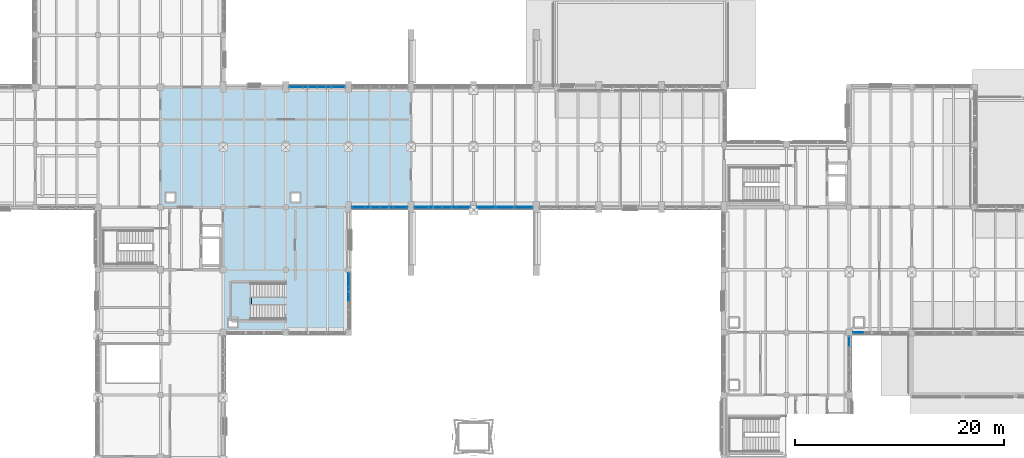
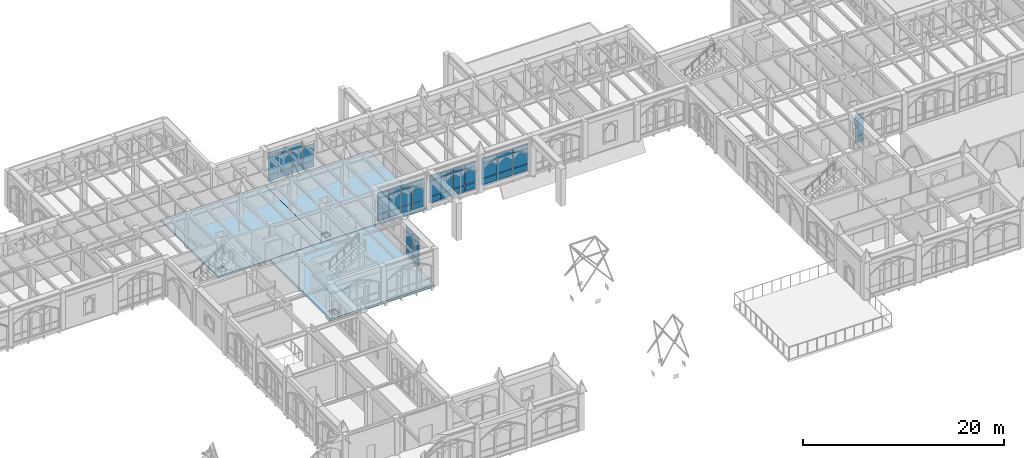
# One storey, part 94 of 143: 54 plates, 4 slabs, 8 elements without a shape of their own.
"""IFC4 building model written with IfcOpenShell, lengths in metres."""

from ifc_helpers import new_model, si_unit, direction, frame, origin, origin_2d, place, context, subcontext, project, spatial, polyline, rectangle, outline, extrude, material, layer, layer_set, type_object, element, aggregate, save


model = new_model("IFC4")

# Units and contexts
model_context = context("Model", 3, precision=1e-05, world=origin(), true_north=direction((0.0, 1.0)))
body_context = subcontext(model_context, "Body", "Model", "MODEL_VIEW")
ifc_project = project(units=[si_unit("LENGTHUNIT", "METRE"), si_unit("AREAUNIT", "SQUARE_METRE"), si_unit("VOLUMEUNIT", "CUBIC_METRE"), si_unit("PLANEANGLEUNIT", "RADIAN"), si_unit("MASSUNIT", "GRAM", prefix="KILO")], contexts=[model_context])

# Site, building, storey
site_placement = place(None, origin())
site = spatial("IfcSite", under=ifc_project, at=site_placement, CompositionType="ELEMENT")
building_placement = place(site_placement, origin())
building = spatial("IfcBuilding", under=site, at=building_placement, Name="Cumevento Cable Car Station", CompositionType="ELEMENT")
storey_placement = place(building_placement, frame((0.0, 0.0, 9.0)))
storey = spatial("IfcBuildingStorey", under=building, at=storey_placement, Name="L03", CompositionType="ELEMENT", Elevation=9.0)

# Slabs
ifc_material_1 = material(Name="Concrete C40/50", Category="concrete")
ifc_layer_1 = layer(ifc_material_1, 0.236083984375)
ifc_layer_set_1 = layer_set([ifc_layer_1], Name="Concrete C40/50")
slab_type_1 = type_object("IfcSlabType", Name="Concrete Deck FS-236 236", PredefinedType="FLOOR", material=ifc_layer_set_1)
slab_1_placement = place(storey_placement, frame((0.0, 0.0, -0.236083984375)))
element("IfcSlab", 1, at=slab_1_placement, inside=storey, type_object=slab_type_1, Name="Floor Slab FS-236 L03 B_V3a.1", PredefinedType="FLOOR", context=body_context, shape_type="SweptSolid", body=[
    extrude(outline(polyline([(64.0, 45.0), (76.0, 45.0), (76.0, 56.5), (64.0, 56.5), (64.0, 45.0)]), holes=[polyline([(64.550048828125, 45.550048828125), (65.35009765625, 45.550048828125), (65.35009765625, 46.35009765625), (64.550048828125, 46.35009765625), (64.550048828125, 45.550048828125)])]), origin(), (0.0, 0.0, 1.0), 0.236083984375),
])
slab_2_placement = place(storey_placement, frame((0.0, 0.0, -0.236083984375)))
element("IfcSlab", 2, at=slab_2_placement, inside=storey, type_object=slab_type_1, Name="Floor Slab FS-236 L03 B_V3a.2", PredefinedType="FLOOR", context=body_context, shape_type="SweptSolid", body=[
    extrude(outline(polyline([(76.0, 45.0), (88.0, 45.0), (88.0, 56.5), (76.0, 56.5), (76.0, 45.0)]), holes=[polyline([(76.550048828125, 45.550048828125), (77.35009765625, 45.550048828125), (77.35009765625, 46.35009765625), (76.550048828125, 46.35009765625), (76.550048828125, 45.550048828125)])]), origin(), (0.0, 0.0, 1.0), 0.236083984375),
])
ifc_material_2 = material(Name="Concrete C40/50", Category="concrete")
ifc_layer_2 = layer(ifc_material_2, 0.27197265625)
ifc_layer_set_2 = layer_set([ifc_layer_2], Name="Concrete C40/50")
slab_type_2 = type_object("IfcSlabType", Name="Concrete Deck FS-272 272", PredefinedType="FLOOR", material=ifc_layer_set_2)
slab_3_placement = place(storey_placement, frame((0.0, 0.0, -0.27197265625)))
element("IfcSlab", 3, at=slab_3_placement, inside=storey, type_object=slab_type_2, Name="Floor Slab FS-272 L03 B_V2d.1", PredefinedType="FLOOR", context=body_context, shape_type="SweptSolid", body=[
    extrude(outline(polyline([(70.0, 33.0), (82.0, 33.0), (82.0, 45.0), (70.0, 45.0), (70.0, 33.0)]), holes=[polyline([(70.550048828125, 33.550048828125), (71.35009765625, 33.550048828125), (71.35009765625, 34.35009765625), (70.550048828125, 34.35009765625), (70.550048828125, 33.550048828125)])]), origin(), (0.0, 0.0, 1.0), 0.27197265625),
])

# Curtain wall, plate
ifc_material_3 = material(Name="Anodised Bronze Aluminium AW-6063-T6", Category="aluminium")
ifc_layer_3 = layer(ifc_material_3, 0.159912109375)
ifc_layer_set_3 = layer_set([ifc_layer_3], Name="Anodised Bronze Aluminium AW-6063-T6")
curtain_wall_type_1 = type_object("IfcCurtainWallType", Name="Lancet Curtain Wall CW-01 1050", PredefinedType="NOTDEFINED", material=ifc_layer_set_3)
curtain_wall_1_placement = place(storey_placement, origin())
curtain_wall_1 = element("IfcCurtainWall", 4, at=curtain_wall_1_placement, inside=storey, type_object=curtain_wall_type_1, Name="Lancet Curtain Wall CW-01 L03 #128", PredefinedType="NOTDEFINED")
ifc_material_4 = material(Name="Solar Control Laminated Double Glazing", Category="glass")
ifc_layer_4 = layer(ifc_material_4, 0.030029296875)
ifc_layer_set_4 = layer_set([ifc_layer_4], Name="Solar Control Laminated Double Glazing")
plate_type_1 = type_object("IfcPlateType", Name="Glazed Panel CWP-03 30", PredefinedType="CURTAIN_PANEL", material=ifc_layer_set_4)
plate_1_placement = place(storey_placement, frame((130.0, 32.123779296875, 3.110595703125), z_axis=(0.0, 0.0, 1.0), x_axis=(0.0, -1.0, 0.0)))
plate_1 = element("IfcPlate", 5, at=plate_1_placement, type_object=plate_type_1, Name="CW-01 panel 1.3", PredefinedType="CURTAIN_PANEL", context=body_context, shape_type="SweptSolid", body=[
    extrude(rectangle(XDim=0.972412109375, YDim=0.030029296875, at=origin_2d()), origin(), (0.0, 0.0, 1.0), 0.6025390625),
])
aggregate(curtain_wall_1, [plate_1])

# Curtain wall, plates
ifc_material_5 = material(Name="Anodised Bronze Aluminium AW-6063-T6", Category="aluminium")
ifc_layer_5 = layer(ifc_material_5, 0.166015625)
ifc_layer_set_5 = layer_set([ifc_layer_5], Name="Anodised Bronze Aluminium AW-6063-T6")
curtain_wall_type_2 = type_object("IfcCurtainWallType", Name="Lancet Curtain Wall CW-02 1090", PredefinedType="NOTDEFINED", material=ifc_layer_set_5)
curtain_wall_2_placement = place(storey_placement, origin())
curtain_wall_2 = element("IfcCurtainWall", 6, at=curtain_wall_2_placement, inside=storey, type_object=curtain_wall_type_2, Name="Lancet Curtain Wall CW-02 L03 #129", PredefinedType="NOTDEFINED")
ifc_material_6 = material(Name="Solar Control Laminated Double Glazing", Category="glass")
ifc_layer_6 = layer(ifc_material_6, 0.033935546875)
ifc_layer_set_6 = layer_set([ifc_layer_6], Name="Solar Control Laminated Double Glazing")
plate_type_2 = type_object("IfcPlateType", Name="Glazed Panel CWP-04 34", PredefinedType="CURTAIN_PANEL", material=ifc_layer_set_6)
plate_2_placement = place(storey_placement, frame((130.876220703125, 33.0, 0.275146484375), z_axis=(0.0, 0.0, 1.0), x_axis=(-1.0, 0.0, 0.0)))
plate_2 = element("IfcPlate", 7, at=plate_2_placement, type_object=plate_type_2, Name="CW-02 panel 5.1", PredefinedType="CURTAIN_PANEL", context=body_context, shape_type="SweptSolid", body=[
    extrude(rectangle(XDim=0.972412109375, YDim=0.033935546875, at=origin_2d()), origin(), (0.0, 0.0, 1.0), 0.75244140625),
])
plate_3_placement = place(storey_placement, frame((130.876220703125, 33.0, 1.0927734375), z_axis=(0.0, 0.0, 1.0), x_axis=(-1.0, 0.0, 0.0)))
plate_3 = element("IfcPlate", 8, at=plate_3_placement, type_object=plate_type_2, Name="CW-02 panel 5.2", PredefinedType="CURTAIN_PANEL", context=body_context, shape_type="SweptSolid", body=[
    extrude(rectangle(XDim=0.972412109375, YDim=0.033935546875, at=origin_2d()), origin(), (0.0, 0.0, 1.0), 1.952880859375),
])
plate_4_placement = place(storey_placement, frame((130.876220703125, 33.0, 3.110595703125), z_axis=(0.0, 0.0, 1.0), x_axis=(-1.0, 0.0, 0.0)))
plate_4 = element("IfcPlate", 9, at=plate_4_placement, type_object=plate_type_2, Name="CW-02 panel 5.3", PredefinedType="CURTAIN_PANEL", context=body_context, shape_type="SweptSolid", body=[
    extrude(rectangle(XDim=0.972412109375, YDim=0.033935546875, at=origin_2d()), origin(), (0.0, 0.0, 1.0), 0.6025390625),
])
aggregate(curtain_wall_2, [plate_2, plate_3, plate_4])

ifc_material_7 = material(Name="Anodised Bronze Aluminium AW-6063-T6", Category="aluminium")
ifc_layer_7 = layer(ifc_material_7, 0.214111328125)
ifc_layer_set_7 = layer_set([ifc_layer_7], Name="Anodised Bronze Aluminium AW-6063-T6")
curtain_wall_type_3 = type_object("IfcCurtainWallType", Name="Lancet Curtain Wall CW-10 1410", PredefinedType="NOTDEFINED", material=ifc_layer_set_7)
curtain_wall_3_placement = place(storey_placement, origin())
curtain_wall_3 = element("IfcCurtainWall", 10, at=curtain_wall_3_placement, inside=storey, type_object=curtain_wall_type_3, Name="Lancet Curtain Wall CW-10 L03 #89", PredefinedType="NOTDEFINED")
ifc_material_8 = material(Name="Solar Control Laminated Double Glazing", Category="glass")
ifc_layer_8 = layer(ifc_material_8, 0.0419921875)
ifc_layer_set_8 = layer_set([ifc_layer_8], Name="Solar Control Laminated Double Glazing")
plate_type_3 = type_object("IfcPlateType", Name="Glazed Panel CWP-06 42", PredefinedType="CURTAIN_PANEL", material=ifc_layer_set_8)
plate_5_placement = place(storey_placement, frame((82.0, 38.04931640625, 0.275146484375), z_axis=(0.0, 0.0, 1.0), x_axis=(0.0, -1.0, 0.0)))
plate_5 = element("IfcPlate", 11, at=plate_5_placement, type_object=plate_type_3, Name="CW-10 panel 1.1", PredefinedType="CURTAIN_PANEL", context=body_context, shape_type="SweptSolid", body=[
    extrude(rectangle(XDim=1.271240234375, YDim=0.0419921875, at=origin_2d()), origin(), (0.0, 0.0, 1.0), 0.75244140625),
])
plate_6_placement = place(storey_placement, frame((82.0, 38.04931640625, 1.092529296875), z_axis=(0.0, 0.0, 1.0), x_axis=(0.0, -1.0, 0.0)))
plate_6 = element("IfcPlate", 12, at=plate_6_placement, type_object=plate_type_3, Name="CW-10 panel 1.2", PredefinedType="CURTAIN_PANEL", context=body_context, shape_type="SweptSolid", body=[
    extrude(rectangle(XDim=1.271240234375, YDim=0.0419921875, at=origin_2d()), origin(), (0.0, 0.0, 1.0), 1.98388671875),
])
plate_7_placement = place(storey_placement, frame((82.0, 38.04931640625, 3.1416015625), z_axis=(0.0, 0.0, 1.0), x_axis=(0.0, -1.0, 0.0)))
plate_7 = element("IfcPlate", 13, at=plate_7_placement, type_object=plate_type_3, Name="CW-10 panel 1.3", PredefinedType="CURTAIN_PANEL", context=body_context, shape_type="SweptSolid", body=[
    extrude(rectangle(XDim=1.271240234375, YDim=0.0419921875, at=origin_2d()), origin(), (0.0, 0.0, 1.0), 0.6025390625),
])
plate_8_placement = place(storey_placement, frame((82.0, 36.69677734375, 0.275146484375), z_axis=(0.0, 0.0, 1.0), x_axis=(0.0, -1.0, 0.0)))
plate_8 = element("IfcPlate", 14, at=plate_8_placement, type_object=plate_type_3, Name="CW-10 panel 2.1", PredefinedType="CURTAIN_PANEL", context=body_context, shape_type="SweptSolid", body=[
    extrude(rectangle(XDim=1.3037109375, YDim=0.0419921875, at=origin_2d()), origin(), (0.0, 0.0, 1.0), 0.75244140625),
])
plate_9_placement = place(storey_placement, frame((82.0, 36.69677734375, 1.092529296875), z_axis=(0.0, 0.0, 1.0), x_axis=(0.0, -1.0, 0.0)))
plate_9 = element("IfcPlate", 15, at=plate_9_placement, type_object=plate_type_3, Name="CW-10 panel 2.2", PredefinedType="CURTAIN_PANEL", context=body_context, shape_type="SweptSolid", body=[
    extrude(rectangle(XDim=1.3037109375, YDim=0.0419921875, at=origin_2d()), origin(), (0.0, 0.0, 1.0), 1.98388671875),
])
plate_10_placement = place(storey_placement, frame((82.0, 36.69677734375, 3.1416015625), z_axis=(0.0, 0.0, 1.0), x_axis=(0.0, -1.0, 0.0)))
plate_10 = element("IfcPlate", 16, at=plate_10_placement, type_object=plate_type_3, Name="CW-10 panel 2.3", PredefinedType="CURTAIN_PANEL", context=body_context, shape_type="SweptSolid", body=[
    extrude(rectangle(XDim=1.3037109375, YDim=0.0419921875, at=origin_2d()), origin(), (0.0, 0.0, 1.0), 0.6025390625),
])
aggregate(curtain_wall_3, [plate_5, plate_6, plate_7, plate_8, plate_9, plate_10])

curtain_wall_4_placement = place(storey_placement, origin())
curtain_wall_4 = element("IfcCurtainWall", 17, at=curtain_wall_4_placement, inside=storey, type_object=curtain_wall_type_3, Name="Lancet Curtain Wall CW-10 L03 #105", PredefinedType="NOTDEFINED")
ifc_material_9 = material(Name="Solar Control Laminated Double Glazing", Category="glass")
ifc_layer_9 = layer(ifc_material_9, 0.050048828125)
ifc_layer_set_9 = layer_set([ifc_layer_9], Name="Solar Control Laminated Double Glazing")
plate_type_4 = type_object("IfcPlateType", Name="Glazed Panel CWP-08 50", PredefinedType="CURTAIN_PANEL", material=ifc_layer_set_9)
plate_11_placement = place(storey_placement, frame((76.9912109375, 56.5, 0.275146484375), z_axis=(0.0, 0.0, 1.0), x_axis=(1.0, 0.0, 0.0)))
plate_11 = element("IfcPlate", 18, at=plate_11_placement, type_object=plate_type_4, Name="CW-10 panel 1.1", PredefinedType="CURTAIN_PANEL", context=body_context, shape_type="SweptSolid", body=[
    extrude(rectangle(XDim=1.25244140625, YDim=0.050048828125, at=origin_2d()), origin(), (0.0, 0.0, 1.0), 0.75244140625),
])
plate_12_placement = place(storey_placement, frame((76.9912109375, 56.5, 1.092529296875), z_axis=(0.0, 0.0, 1.0), x_axis=(1.0, 0.0, 0.0)))
plate_12 = element("IfcPlate", 19, at=plate_12_placement, type_object=plate_type_4, Name="CW-10 panel 1.2", PredefinedType="CURTAIN_PANEL", context=body_context, shape_type="SweptSolid", body=[
    extrude(rectangle(XDim=1.25244140625, YDim=0.050048828125, at=origin_2d()), origin(), (0.0, 0.0, 1.0), 2.02001953125),
])
plate_13_placement = place(storey_placement, frame((76.9912109375, 56.5, 3.177490234375), z_axis=(0.0, 0.0, 1.0), x_axis=(1.0, 0.0, 0.0)))
plate_13 = element("IfcPlate", 20, at=plate_13_placement, type_object=plate_type_4, Name="CW-10 panel 1.3", PredefinedType="CURTAIN_PANEL", context=body_context, shape_type="SweptSolid", body=[
    extrude(rectangle(XDim=1.25244140625, YDim=0.050048828125, at=origin_2d()), origin(), (0.0, 0.0, 1.0), 0.6025390625),
])
plate_14_placement = place(storey_placement, frame((78.324951171875, 56.5, 0.275146484375), z_axis=(0.0, 0.0, 1.0), x_axis=(1.0, 0.0, 0.0)))
plate_14 = element("IfcPlate", 21, at=plate_14_placement, type_object=plate_type_4, Name="CW-10 panel 2.1", PredefinedType="CURTAIN_PANEL", context=body_context, shape_type="SweptSolid", body=[
    extrude(rectangle(XDim=1.284912109375, YDim=0.050048828125, at=origin_2d()), origin(), (0.0, 0.0, 1.0), 0.75244140625),
])
plate_15_placement = place(storey_placement, frame((78.324951171875, 56.5, 1.092529296875), z_axis=(0.0, 0.0, 1.0), x_axis=(1.0, 0.0, 0.0)))
plate_15 = element("IfcPlate", 22, at=plate_15_placement, type_object=plate_type_4, Name="CW-10 panel 2.2", PredefinedType="CURTAIN_PANEL", context=body_context, shape_type="SweptSolid", body=[
    extrude(rectangle(XDim=1.284912109375, YDim=0.050048828125, at=origin_2d()), origin(), (0.0, 0.0, 1.0), 2.02001953125),
])
plate_16_placement = place(storey_placement, frame((78.324951171875, 56.5, 3.177490234375), z_axis=(0.0, 0.0, 1.0), x_axis=(1.0, 0.0, 0.0)))
plate_16 = element("IfcPlate", 23, at=plate_16_placement, type_object=plate_type_4, Name="CW-10 panel 2.3", PredefinedType="CURTAIN_PANEL", context=body_context, shape_type="SweptSolid", body=[
    extrude(rectangle(XDim=1.284912109375, YDim=0.050048828125, at=origin_2d()), origin(), (0.0, 0.0, 1.0), 0.6025390625),
])
plate_17_placement = place(storey_placement, frame((79.675048828125, 56.5, 0.275146484375), z_axis=(0.0, 0.0, 1.0), x_axis=(1.0, 0.0, 0.0)))
plate_17 = element("IfcPlate", 24, at=plate_17_placement, type_object=plate_type_4, Name="CW-10 panel 3.1", PredefinedType="CURTAIN_PANEL", context=body_context, shape_type="SweptSolid", body=[
    extrude(rectangle(XDim=1.284912109375, YDim=0.050048828125, at=origin_2d()), origin(), (0.0, 0.0, 1.0), 0.75244140625),
])
plate_18_placement = place(storey_placement, frame((79.675048828125, 56.5, 1.092529296875), z_axis=(0.0, 0.0, 1.0), x_axis=(1.0, 0.0, 0.0)))
plate_18 = element("IfcPlate", 25, at=plate_18_placement, type_object=plate_type_4, Name="CW-10 panel 3.2", PredefinedType="CURTAIN_PANEL", context=body_context, shape_type="SweptSolid", body=[
    extrude(rectangle(XDim=1.284912109375, YDim=0.050048828125, at=origin_2d()), origin(), (0.0, 0.0, 1.0), 2.02001953125),
])
plate_19_placement = place(storey_placement, frame((79.675048828125, 56.5, 3.177490234375), z_axis=(0.0, 0.0, 1.0), x_axis=(1.0, 0.0, 0.0)))
plate_19 = element("IfcPlate", 26, at=plate_19_placement, type_object=plate_type_4, Name="CW-10 panel 3.3", PredefinedType="CURTAIN_PANEL", context=body_context, shape_type="SweptSolid", body=[
    extrude(rectangle(XDim=1.284912109375, YDim=0.050048828125, at=origin_2d()), origin(), (0.0, 0.0, 1.0), 0.6025390625),
])
plate_20_placement = place(storey_placement, frame((81.0087890625, 56.5, 0.275146484375), z_axis=(0.0, 0.0, 1.0), x_axis=(1.0, 0.0, 0.0)))
plate_20 = element("IfcPlate", 27, at=plate_20_placement, type_object=plate_type_4, Name="CW-10 panel 4.1", PredefinedType="CURTAIN_PANEL", context=body_context, shape_type="SweptSolid", body=[
    extrude(rectangle(XDim=1.25244140625, YDim=0.050048828125, at=origin_2d()), origin(), (0.0, 0.0, 1.0), 0.75244140625),
])
plate_21_placement = place(storey_placement, frame((81.0087890625, 56.5, 1.092529296875), z_axis=(0.0, 0.0, 1.0), x_axis=(1.0, 0.0, 0.0)))
plate_21 = element("IfcPlate", 28, at=plate_21_placement, type_object=plate_type_4, Name="CW-10 panel 4.2", PredefinedType="CURTAIN_PANEL", context=body_context, shape_type="SweptSolid", body=[
    extrude(rectangle(XDim=1.25244140625, YDim=0.050048828125, at=origin_2d()), origin(), (0.0, 0.0, 1.0), 2.02001953125),
])
aggregate(curtain_wall_4, [plate_11, plate_12, plate_13, plate_14, plate_15, plate_16, plate_17, plate_18, plate_19, plate_20, plate_21])

ifc_material_10 = material(Name="Anodised Bronze Aluminium AW-6063-T6", Category="aluminium")
ifc_layer_10 = layer(ifc_material_10, 0.219970703125)
ifc_layer_set_10 = layer_set([ifc_layer_10], Name="Anodised Bronze Aluminium AW-6063-T6")
curtain_wall_type_4 = type_object("IfcCurtainWallType", Name="Lancet Curtain Wall CW-11 1450", PredefinedType="NOTDEFINED", material=ifc_layer_set_10)
curtain_wall_5_placement = place(storey_placement, origin())
curtain_wall_5 = element("IfcCurtainWall", 29, at=curtain_wall_5_placement, inside=storey, type_object=curtain_wall_type_4, Name="Lancet Curtain Wall CW-11 L03 #106", PredefinedType="NOTDEFINED")
ifc_material_11 = material(Name="Insulated Bronze Aluminium Spandrel Panel", Category="aluminium")
ifc_layer_11 = layer(ifc_material_11, 0.054931640625)
ifc_layer_set_11 = layer_set([ifc_layer_11], Name="Insulated Bronze Aluminium Spandrel Panel")
plate_type_5 = type_object("IfcPlateType", Name="Spandrel Panel CWP-09 55", PredefinedType="CURTAIN_PANEL", material=ifc_layer_set_11)
plate_22_placement = place(storey_placement, frame((87.0087890625, 45.0, 0.324951171875), z_axis=(0.0, 0.0, 1.0), x_axis=(-1.0, 0.0, 0.0)))
plate_22 = element("IfcPlate", 30, at=plate_22_placement, type_object=plate_type_5, Name="CW-11 panel 1.1", PredefinedType="CURTAIN_PANEL", context=body_context, shape_type="SweptSolid", body=[
    extrude(rectangle(XDim=1.25244140625, YDim=0.054931640625, at=origin_2d()), origin(), (0.0, 0.0, 1.0), 0.75244140625),
])
plate_23_placement = place(storey_placement, frame((87.0087890625, 45.0, 1.142578125), z_axis=(0.0, 0.0, 1.0), x_axis=(-1.0, 0.0, 0.0)))
plate_23 = element("IfcPlate", 31, at=plate_23_placement, type_object=plate_type_5, Name="CW-11 panel 1.2", PredefinedType="CURTAIN_PANEL", context=body_context, shape_type="SweptSolid", body=[
    extrude(rectangle(XDim=1.25244140625, YDim=0.054931640625, at=origin_2d()), origin(), (0.0, 0.0, 1.0), 1.93408203125),
])
plate_24_placement = place(storey_placement, frame((87.0087890625, 45.0, 3.1416015625), z_axis=(0.0, 0.0, 1.0), x_axis=(-1.0, 0.0, 0.0)))
plate_24 = element("IfcPlate", 32, at=plate_24_placement, type_object=plate_type_5, Name="CW-11 panel 1.3", PredefinedType="CURTAIN_PANEL", context=body_context, shape_type="SweptSolid", body=[
    extrude(rectangle(XDim=1.25244140625, YDim=0.054931640625, at=origin_2d()), origin(), (0.0, 0.0, 1.0), 0.6025390625),
])
plate_25_placement = place(storey_placement, frame((85.675048828125, 45.0, 0.324951171875), z_axis=(0.0, 0.0, 1.0), x_axis=(-1.0, 0.0, 0.0)))
plate_25 = element("IfcPlate", 33, at=plate_25_placement, type_object=plate_type_5, Name="CW-11 panel 2.1", PredefinedType="CURTAIN_PANEL", context=body_context, shape_type="SweptSolid", body=[
    extrude(rectangle(XDim=1.284912109375, YDim=0.054931640625, at=origin_2d()), origin(), (0.0, 0.0, 1.0), 0.75244140625),
])
plate_26_placement = place(storey_placement, frame((85.675048828125, 45.0, 1.142578125), z_axis=(0.0, 0.0, 1.0), x_axis=(-1.0, 0.0, 0.0)))
plate_26 = element("IfcPlate", 34, at=plate_26_placement, type_object=plate_type_5, Name="CW-11 panel 2.2", PredefinedType="CURTAIN_PANEL", context=body_context, shape_type="SweptSolid", body=[
    extrude(rectangle(XDim=1.284912109375, YDim=0.054931640625, at=origin_2d()), origin(), (0.0, 0.0, 1.0), 1.93408203125),
])
plate_27_placement = place(storey_placement, frame((85.675048828125, 45.0, 3.1416015625), z_axis=(0.0, 0.0, 1.0), x_axis=(-1.0, 0.0, 0.0)))
plate_27 = element("IfcPlate", 35, at=plate_27_placement, type_object=plate_type_5, Name="CW-11 panel 2.3", PredefinedType="CURTAIN_PANEL", context=body_context, shape_type="SweptSolid", body=[
    extrude(rectangle(XDim=1.284912109375, YDim=0.054931640625, at=origin_2d()), origin(), (0.0, 0.0, 1.0), 0.6025390625),
])
plate_28_placement = place(storey_placement, frame((84.324951171875, 45.0, 0.324951171875), z_axis=(0.0, 0.0, 1.0), x_axis=(-1.0, 0.0, 0.0)))
plate_28 = element("IfcPlate", 36, at=plate_28_placement, type_object=plate_type_5, Name="CW-11 panel 3.1", PredefinedType="CURTAIN_PANEL", context=body_context, shape_type="SweptSolid", body=[
    extrude(rectangle(XDim=1.284912109375, YDim=0.054931640625, at=origin_2d()), origin(), (0.0, 0.0, 1.0), 0.75244140625),
])
plate_29_placement = place(storey_placement, frame((84.324951171875, 45.0, 1.142578125), z_axis=(0.0, 0.0, 1.0), x_axis=(-1.0, 0.0, 0.0)))
plate_29 = element("IfcPlate", 37, at=plate_29_placement, type_object=plate_type_5, Name="CW-11 panel 3.2", PredefinedType="CURTAIN_PANEL", context=body_context, shape_type="SweptSolid", body=[
    extrude(rectangle(XDim=1.284912109375, YDim=0.054931640625, at=origin_2d()), origin(), (0.0, 0.0, 1.0), 1.93408203125),
])
plate_30_placement = place(storey_placement, frame((84.324951171875, 45.0, 3.1416015625), z_axis=(0.0, 0.0, 1.0), x_axis=(-1.0, 0.0, 0.0)))
plate_30 = element("IfcPlate", 38, at=plate_30_placement, type_object=plate_type_5, Name="CW-11 panel 3.3", PredefinedType="CURTAIN_PANEL", context=body_context, shape_type="SweptSolid", body=[
    extrude(rectangle(XDim=1.284912109375, YDim=0.054931640625, at=origin_2d()), origin(), (0.0, 0.0, 1.0), 0.6025390625),
])
plate_31_placement = place(storey_placement, frame((82.9912109375, 45.0, 0.324951171875), z_axis=(0.0, 0.0, 1.0), x_axis=(-1.0, 0.0, 0.0)))
plate_31 = element("IfcPlate", 39, at=plate_31_placement, type_object=plate_type_5, Name="CW-11 panel 4.1", PredefinedType="CURTAIN_PANEL", context=body_context, shape_type="SweptSolid", body=[
    extrude(rectangle(XDim=1.25244140625, YDim=0.054931640625, at=origin_2d()), origin(), (0.0, 0.0, 1.0), 0.75244140625),
])
plate_32_placement = place(storey_placement, frame((82.9912109375, 45.0, 1.142578125), z_axis=(0.0, 0.0, 1.0), x_axis=(-1.0, 0.0, 0.0)))
plate_32 = element("IfcPlate", 40, at=plate_32_placement, type_object=plate_type_5, Name="CW-11 panel 4.2", PredefinedType="CURTAIN_PANEL", context=body_context, shape_type="SweptSolid", body=[
    extrude(rectangle(XDim=1.25244140625, YDim=0.054931640625, at=origin_2d()), origin(), (0.0, 0.0, 1.0), 1.93408203125),
])
plate_33_placement = place(storey_placement, frame((82.9912109375, 45.0, 3.1416015625), z_axis=(0.0, 0.0, 1.0), x_axis=(-1.0, 0.0, 0.0)))
plate_33 = element("IfcPlate", 41, at=plate_33_placement, type_object=plate_type_5, Name="CW-11 panel 4.3", PredefinedType="CURTAIN_PANEL", context=body_context, shape_type="SweptSolid", body=[
    extrude(rectangle(XDim=1.25244140625, YDim=0.054931640625, at=origin_2d()), origin(), (0.0, 0.0, 1.0), 0.6025390625),
])
aggregate(curtain_wall_5, [plate_22, plate_23, plate_24, plate_25, plate_26, plate_27, plate_28, plate_29, plate_30, plate_31, plate_32, plate_33])

ifc_material_12 = material(Name="Anodised Bronze Aluminium AW-6063-T6", Category="aluminium")
ifc_layer_12 = layer(ifc_material_12, 0.23193359375)
ifc_layer_set_12 = layer_set([ifc_layer_12], Name="Anodised Bronze Aluminium AW-6063-T6")
curtain_wall_type_5 = type_object("IfcCurtainWallType", Name="Lancet Curtain Wall CW-13 1530", PredefinedType="NOTDEFINED", material=ifc_layer_set_12)
curtain_wall_6_placement = place(storey_placement, origin())
curtain_wall_6 = element("IfcCurtainWall", 42, at=curtain_wall_6_placement, inside=storey, type_object=curtain_wall_type_5, Name="Lancet Curtain Wall CW-13 L03 #108", PredefinedType="NOTDEFINED")
ifc_material_13 = material(Name="Insulated Bronze Aluminium Spandrel Panel", Category="aluminium")
ifc_layer_13 = layer(ifc_material_13, 0.06591796875)
ifc_layer_set_13 = layer_set([ifc_layer_13], Name="Insulated Bronze Aluminium Spandrel Panel")
plate_type_6 = type_object("IfcPlateType", Name="Spandrel Panel CWP-11 66", PredefinedType="CURTAIN_PANEL", material=ifc_layer_set_13)
plate_34_placement = place(storey_placement, frame((93.0087890625, 45.0, 0.425048828125), z_axis=(0.0, 0.0, 1.0), x_axis=(-1.0, 0.0, 0.0)))
plate_34 = element("IfcPlate", 43, at=plate_34_placement, type_object=plate_type_6, Name="CW-13 panel 1.1", PredefinedType="CURTAIN_PANEL", context=body_context, shape_type="SweptSolid", body=[
    extrude(rectangle(XDim=1.25244140625, YDim=0.06591796875, at=origin_2d()), origin(), (0.0, 0.0, 1.0), 0.75244140625),
])
plate_35_placement = place(storey_placement, frame((93.0087890625, 45.0, 1.242431640625), z_axis=(0.0, 0.0, 1.0), x_axis=(-1.0, 0.0, 0.0)))
plate_35 = element("IfcPlate", 44, at=plate_35_placement, type_object=plate_type_6, Name="CW-13 panel 1.2", PredefinedType="CURTAIN_PANEL", context=body_context, shape_type="SweptSolid", body=[
    extrude(rectangle(XDim=1.25244140625, YDim=0.06591796875, at=origin_2d()), origin(), (0.0, 0.0, 1.0), 1.8701171875),
])
plate_36_placement = place(storey_placement, frame((93.0087890625, 45.0, 3.177490234375), z_axis=(0.0, 0.0, 1.0), x_axis=(-1.0, 0.0, 0.0)))
plate_36 = element("IfcPlate", 45, at=plate_36_placement, type_object=plate_type_6, Name="CW-13 panel 1.3", PredefinedType="CURTAIN_PANEL", context=body_context, shape_type="SweptSolid", body=[
    extrude(rectangle(XDim=1.25244140625, YDim=0.06591796875, at=origin_2d()), origin(), (0.0, 0.0, 1.0), 0.6025390625),
])
plate_37_placement = place(storey_placement, frame((91.675048828125, 45.0, 0.425048828125), z_axis=(0.0, 0.0, 1.0), x_axis=(-1.0, 0.0, 0.0)))
plate_37 = element("IfcPlate", 46, at=plate_37_placement, type_object=plate_type_6, Name="CW-13 panel 2.1", PredefinedType="CURTAIN_PANEL", context=body_context, shape_type="SweptSolid", body=[
    extrude(rectangle(XDim=1.284912109375, YDim=0.06591796875, at=origin_2d()), origin(), (0.0, 0.0, 1.0), 0.75244140625),
])
plate_38_placement = place(storey_placement, frame((91.675048828125, 45.0, 1.242431640625), z_axis=(0.0, 0.0, 1.0), x_axis=(-1.0, 0.0, 0.0)))
plate_38 = element("IfcPlate", 47, at=plate_38_placement, type_object=plate_type_6, Name="CW-13 panel 2.2", PredefinedType="CURTAIN_PANEL", context=body_context, shape_type="SweptSolid", body=[
    extrude(rectangle(XDim=1.284912109375, YDim=0.06591796875, at=origin_2d()), origin(), (0.0, 0.0, 1.0), 1.8701171875),
])
plate_39_placement = place(storey_placement, frame((91.675048828125, 45.0, 3.177490234375), z_axis=(0.0, 0.0, 1.0), x_axis=(-1.0, 0.0, 0.0)))
plate_39 = element("IfcPlate", 48, at=plate_39_placement, type_object=plate_type_6, Name="CW-13 panel 2.3", PredefinedType="CURTAIN_PANEL", context=body_context, shape_type="SweptSolid", body=[
    extrude(rectangle(XDim=1.284912109375, YDim=0.06591796875, at=origin_2d()), origin(), (0.0, 0.0, 1.0), 0.6025390625),
])
plate_40_placement = place(storey_placement, frame((90.324951171875, 45.0, 0.425048828125), z_axis=(0.0, 0.0, 1.0), x_axis=(-1.0, 0.0, 0.0)))
plate_40 = element("IfcPlate", 49, at=plate_40_placement, type_object=plate_type_6, Name="CW-13 panel 3.1", PredefinedType="CURTAIN_PANEL", context=body_context, shape_type="SweptSolid", body=[
    extrude(rectangle(XDim=1.284912109375, YDim=0.06591796875, at=origin_2d()), origin(), (0.0, 0.0, 1.0), 0.75244140625),
])
plate_41_placement = place(storey_placement, frame((90.324951171875, 45.0, 1.242431640625), z_axis=(0.0, 0.0, 1.0), x_axis=(-1.0, 0.0, 0.0)))
plate_41 = element("IfcPlate", 50, at=plate_41_placement, type_object=plate_type_6, Name="CW-13 panel 3.2", PredefinedType="CURTAIN_PANEL", context=body_context, shape_type="SweptSolid", body=[
    extrude(rectangle(XDim=1.284912109375, YDim=0.06591796875, at=origin_2d()), origin(), (0.0, 0.0, 1.0), 1.8701171875),
])
plate_42_placement = place(storey_placement, frame((90.324951171875, 45.0, 3.177490234375), z_axis=(0.0, 0.0, 1.0), x_axis=(-1.0, 0.0, 0.0)))
plate_42 = element("IfcPlate", 51, at=plate_42_placement, type_object=plate_type_6, Name="CW-13 panel 3.3", PredefinedType="CURTAIN_PANEL", context=body_context, shape_type="SweptSolid", body=[
    extrude(rectangle(XDim=1.284912109375, YDim=0.06591796875, at=origin_2d()), origin(), (0.0, 0.0, 1.0), 0.6025390625),
])
plate_43_placement = place(storey_placement, frame((88.9912109375, 45.0, 0.425048828125), z_axis=(0.0, 0.0, 1.0), x_axis=(-1.0, 0.0, 0.0)))
plate_43 = element("IfcPlate", 52, at=plate_43_placement, type_object=plate_type_6, Name="CW-13 panel 4.1", PredefinedType="CURTAIN_PANEL", context=body_context, shape_type="SweptSolid", body=[
    extrude(rectangle(XDim=1.25244140625, YDim=0.06591796875, at=origin_2d()), origin(), (0.0, 0.0, 1.0), 0.75244140625),
])
plate_44_placement = place(storey_placement, frame((88.9912109375, 45.0, 1.242431640625), z_axis=(0.0, 0.0, 1.0), x_axis=(-1.0, 0.0, 0.0)))
plate_44 = element("IfcPlate", 53, at=plate_44_placement, type_object=plate_type_6, Name="CW-13 panel 4.2", PredefinedType="CURTAIN_PANEL", context=body_context, shape_type="SweptSolid", body=[
    extrude(rectangle(XDim=1.25244140625, YDim=0.06591796875, at=origin_2d()), origin(), (0.0, 0.0, 1.0), 1.8701171875),
])
plate_45_placement = place(storey_placement, frame((88.9912109375, 45.0, 3.177490234375), z_axis=(0.0, 0.0, 1.0), x_axis=(-1.0, 0.0, 0.0)))
plate_45 = element("IfcPlate", 54, at=plate_45_placement, type_object=plate_type_6, Name="CW-13 panel 4.3", PredefinedType="CURTAIN_PANEL", context=body_context, shape_type="SweptSolid", body=[
    extrude(rectangle(XDim=1.25244140625, YDim=0.06591796875, at=origin_2d()), origin(), (0.0, 0.0, 1.0), 0.6025390625),
])
aggregate(curtain_wall_6, [plate_34, plate_35, plate_36, plate_37, plate_38, plate_39, plate_40, plate_41, plate_42, plate_43, plate_44, plate_45])

ifc_material_14 = material(Name="Anodised Bronze Aluminium AW-6063-T6", Category="aluminium")
ifc_layer_14 = layer(ifc_material_14, 0.243896484375)
ifc_layer_set_14 = layer_set([ifc_layer_14], Name="Anodised Bronze Aluminium AW-6063-T6")
curtain_wall_type_6 = type_object("IfcCurtainWallType", Name="Lancet Curtain Wall CW-15 1610", PredefinedType="NOTDEFINED", material=ifc_layer_set_14)
curtain_wall_7_placement = place(storey_placement, origin())
curtain_wall_7 = element("IfcCurtainWall", 55, at=curtain_wall_7_placement, inside=storey, type_object=curtain_wall_type_6, Name="Lancet Curtain Wall CW-15 L03 #110", PredefinedType="NOTDEFINED")
ifc_material_15 = material(Name="Insulated Bronze Aluminium Spandrel Panel", Category="aluminium")
ifc_layer_15 = layer(ifc_material_15, 0.077880859375)
ifc_layer_set_15 = layer_set([ifc_layer_15], Name="Insulated Bronze Aluminium Spandrel Panel")
plate_type_7 = type_object("IfcPlateType", Name="Spandrel Panel CWP-13 78", PredefinedType="CURTAIN_PANEL", material=ifc_layer_set_15)
plate_46_placement = place(storey_placement, frame((98.78369140625, 45.0, 0.525146484375), z_axis=(0.0, 0.0, 1.0), x_axis=(-1.0, 0.0, 0.0)))
plate_46 = element("IfcPlate", 56, at=plate_46_placement, type_object=plate_type_7, Name="CW-15 panel 1.1", PredefinedType="CURTAIN_PANEL", context=body_context, shape_type="SweptSolid", body=[
    extrude(rectangle(XDim=1.702392578125, YDim=0.077880859375, at=origin_2d()), origin(), (0.0, 0.0, 1.0), 0.75244140625),
])
plate_47_placement = place(storey_placement, frame((98.78369140625, 45.0, 1.342529296875), z_axis=(0.0, 0.0, 1.0), x_axis=(-1.0, 0.0, 0.0)))
plate_47 = element("IfcPlate", 57, at=plate_47_placement, type_object=plate_type_7, Name="CW-15 panel 1.2", PredefinedType="CURTAIN_PANEL", context=body_context, shape_type="SweptSolid", body=[
    extrude(rectangle(XDim=1.702392578125, YDim=0.077880859375, at=origin_2d()), origin(), (0.0, 0.0, 1.0), 1.77001953125),
])
plate_48_placement = place(storey_placement, frame((98.78369140625, 45.0, 3.177490234375), z_axis=(0.0, 0.0, 1.0), x_axis=(-1.0, 0.0, 0.0)))
plate_48 = element("IfcPlate", 58, at=plate_48_placement, type_object=plate_type_7, Name="CW-15 panel 1.3", PredefinedType="CURTAIN_PANEL", context=body_context, shape_type="SweptSolid", body=[
    extrude(rectangle(XDim=1.702392578125, YDim=0.077880859375, at=origin_2d()), origin(), (0.0, 0.0, 1.0), 0.6025390625),
])
plate_49_placement = place(storey_placement, frame((97.0, 45.0, 0.525146484375), z_axis=(0.0, 0.0, 1.0), x_axis=(-1.0, 0.0, 0.0)))
plate_49 = element("IfcPlate", 59, at=plate_49_placement, type_object=plate_type_7, Name="CW-15 panel 2.1", PredefinedType="CURTAIN_PANEL", context=body_context, shape_type="SweptSolid", body=[
    extrude(rectangle(XDim=1.735107421875, YDim=0.077880859375, at=origin_2d()), origin(), (0.0, 0.0, 1.0), 0.75244140625),
])
plate_50_placement = place(storey_placement, frame((97.0, 45.0, 1.342529296875), z_axis=(0.0, 0.0, 1.0), x_axis=(-1.0, 0.0, 0.0)))
plate_50 = element("IfcPlate", 60, at=plate_50_placement, type_object=plate_type_7, Name="CW-15 panel 2.2", PredefinedType="CURTAIN_PANEL", context=body_context, shape_type="SweptSolid", body=[
    extrude(rectangle(XDim=1.735107421875, YDim=0.077880859375, at=origin_2d()), origin(), (0.0, 0.0, 1.0), 1.77001953125),
])
plate_51_placement = place(storey_placement, frame((97.0, 45.0, 3.177490234375), z_axis=(0.0, 0.0, 1.0), x_axis=(-1.0, 0.0, 0.0)))
plate_51 = element("IfcPlate", 61, at=plate_51_placement, type_object=plate_type_7, Name="CW-15 panel 2.3", PredefinedType="CURTAIN_PANEL", context=body_context, shape_type="SweptSolid", body=[
    extrude(rectangle(XDim=1.735107421875, YDim=0.077880859375, at=origin_2d()), origin(), (0.0, 0.0, 1.0), 0.6025390625),
])
plate_52_placement = place(storey_placement, frame((95.21630859375, 45.0, 0.525146484375), z_axis=(0.0, 0.0, 1.0), x_axis=(-1.0, 0.0, 0.0)))
plate_52 = element("IfcPlate", 62, at=plate_52_placement, type_object=plate_type_7, Name="CW-15 panel 3.1", PredefinedType="CURTAIN_PANEL", context=body_context, shape_type="SweptSolid", body=[
    extrude(rectangle(XDim=1.702392578125, YDim=0.077880859375, at=origin_2d()), origin(), (0.0, 0.0, 1.0), 0.75244140625),
])
plate_53_placement = place(storey_placement, frame((95.21630859375, 45.0, 1.342529296875), z_axis=(0.0, 0.0, 1.0), x_axis=(-1.0, 0.0, 0.0)))
plate_53 = element("IfcPlate", 63, at=plate_53_placement, type_object=plate_type_7, Name="CW-15 panel 3.2", PredefinedType="CURTAIN_PANEL", context=body_context, shape_type="SweptSolid", body=[
    extrude(rectangle(XDim=1.702392578125, YDim=0.077880859375, at=origin_2d()), origin(), (0.0, 0.0, 1.0), 1.77001953125),
])
plate_54_placement = place(storey_placement, frame((95.21630859375, 45.0, 3.177490234375), z_axis=(0.0, 0.0, 1.0), x_axis=(-1.0, 0.0, 0.0)))
plate_54 = element("IfcPlate", 64, at=plate_54_placement, type_object=plate_type_7, Name="CW-15 panel 3.3", PredefinedType="CURTAIN_PANEL", context=body_context, shape_type="SweptSolid", body=[
    extrude(rectangle(XDim=1.702392578125, YDim=0.077880859375, at=origin_2d()), origin(), (0.0, 0.0, 1.0), 0.6025390625),
])
aggregate(curtain_wall_7, [plate_46, plate_47, plate_48, plate_49, plate_50, plate_51, plate_52, plate_53, plate_54])

# Stair, slab
ifc_material_16 = material(Name="Concrete C40/50", Category="concrete")
stair_type = type_object("IfcStairType", Name="Half-Turn Stair ST-T08 1470", PredefinedType="HALF_TURN_STAIR", material=ifc_material_16)
stair_placement = place(storey_placement, origin())
stair = element("IfcStair", 65, at=stair_placement, inside=storey, type_object=stair_type, Name="Pre-Boarding to Boarding Hall Stair L03-L04", PredefinedType="HALF_TURN_STAIR")
ifc_material_17 = material(Name="Concrete C40/50", Category="concrete")
ifc_layer_16 = layer(ifc_material_17, 0.239013671875)
ifc_layer_set_16 = layer_set([ifc_layer_16], Name="Concrete C40/50")
slab_type_3 = type_object("IfcSlabType", Name="Stair Landing STL-T08 239", PredefinedType="LANDING", material=ifc_layer_set_16)
slab_4_placement = place(storey_placement, frame((0.0, 0.0, 2.010986328125)))
slab_4 = element("IfcSlab", 66, at=slab_4_placement, type_object=slab_type_3, Name="ST-11 Half-Landing", PredefinedType="LANDING", context=body_context, shape_type="SweptSolid", body=[
    extrude(outline(polyline([(70.719970703125, 34.1201171875), (72.699951171875, 34.1201171875), (72.699951171875, 37.8798828125), (70.719970703125, 37.8798828125), (70.719970703125, 34.1201171875)])), origin(), (0.0, 0.0, 1.0), 0.239013671875),
])
aggregate(stair, [slab_4])

save(model, "model.ifc")
